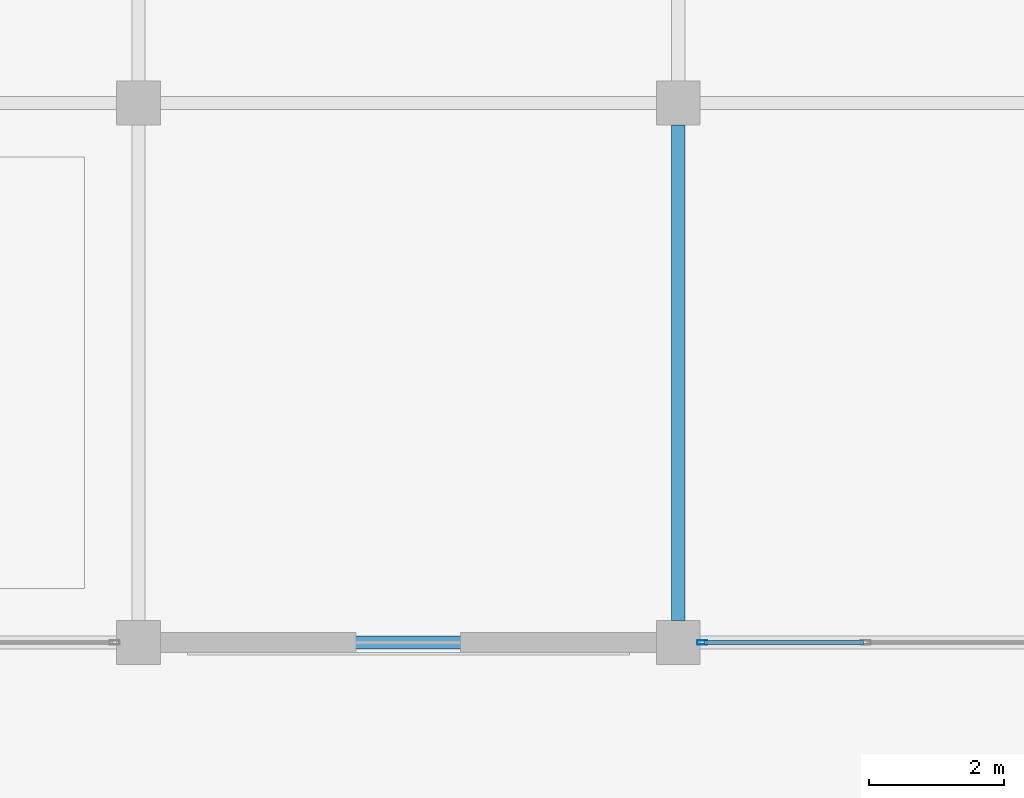
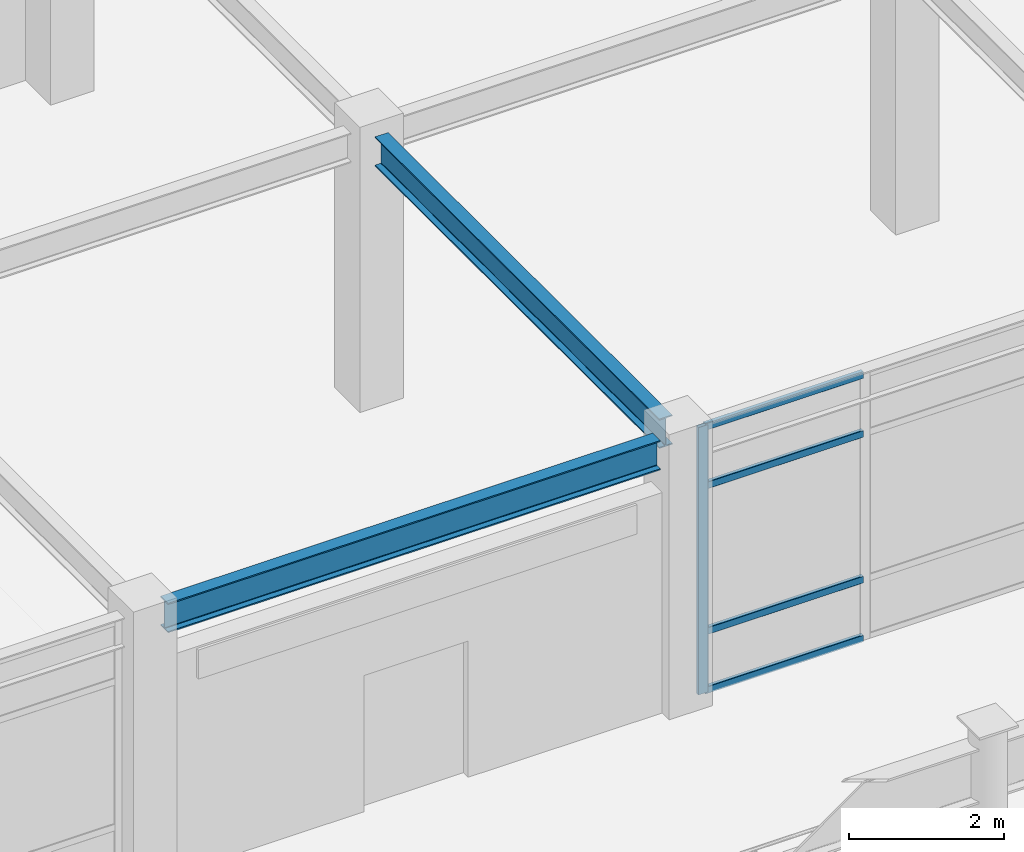
# One storey, part 41 of 78: 5 members, 2 beams, 1 element without a shape of its own.
"""IFC4 building model written with IfcOpenShell, lengths in metres."""

from ifc_helpers import new_model, si_unit, direction, frame, origin, origin_2d, place, context, subcontext, project, spatial, hollow_rectangle, i_section, extrude, material, material_profile, profile_set, type_object, element, aggregate, save


model = new_model("IFC4")

# Units and contexts
model_context = context("Model", 3, precision=1e-05, world=origin(), true_north=direction((0.0, 1.0)))
body_context = subcontext(model_context, "Body", "Model", "MODEL_VIEW")
ifc_project = project(units=[si_unit("LENGTHUNIT", "METRE"), si_unit("AREAUNIT", "SQUARE_METRE"), si_unit("VOLUMEUNIT", "CUBIC_METRE"), si_unit("PLANEANGLEUNIT", "RADIAN"), si_unit("MASSUNIT", "GRAM", prefix="KILO")], contexts=[model_context])

# Site, building, storey
site_placement = place(None, origin())
site = spatial("IfcSite", under=ifc_project, at=site_placement, CompositionType="ELEMENT")
building_placement = place(site_placement, origin())
building = spatial("IfcBuilding", under=site, at=building_placement, Name="Solmirada Galleria", CompositionType="ELEMENT")
storey_placement = place(building_placement, frame((0.0, 0.0, 23.89990234375)))
storey = spatial("IfcBuildingStorey", under=building, at=storey_placement, Name="L05", CompositionType="ELEMENT", Elevation=23.89990234375)

# Beams
ifc_material_1 = material(Name="Steel S355 / ASTM A992 Grade 50", Category="steel")
ifc_material_profile_1 = material_profile(ifc_material_1, i_section(OverallWidth=0.193115234375, OverallDepth=0.466064453125, WebThickness=0.011474609375, FlangeThickness=0.01904296875, FilletRadius=0.013916015625, at=origin_2d()), Name="W18X65")
ifc_profile_set_1 = profile_set([ifc_material_profile_1], Name="Steel S355 / ASTM A992 Grade 50")
beam_type = type_object("IfcBeamType", Name="BM-GIRD-W18C", PredefinedType="BEAM", material=ifc_profile_set_1)
for number, where, z_axis, x_axis, name in (
    (1, (56.324951171875, 96.0, 4.0400390625), (1.0, 0.0, 0.0), (0.0, 1.0, 0.0), "North roof girder X=56..64"),
    (2, (64.0, 96.324951171875, 4.0400390625), (0.0, 1.0, 0.0), (-1.0, 0.0, 0.0), "North roof girder Y=96..104"),
):
    element("IfcBeam", number, at=place(storey_placement, frame(where, z_axis=z_axis, x_axis=x_axis)), inside=storey, type_object=beam_type, Name=name, PredefinedType="BEAM", context=body_context, shape_type="SweptSolid", body=[
        extrude(i_section(OverallWidth=0.193115234375, OverallDepth=0.466064453125, WebThickness=0.011474609375, FlangeThickness=0.01904296875, FilletRadius=0.013916015625, at=origin_2d()), origin(), (0.0, 0.0, 1.0), 7.35009765625),
    ])

# Curtain wall, members
ifc_material_2 = material(Name="Impact-resistant low-E double glazing", Category="glass")
curtain_wall_type = type_object("IfcCurtainWallType", Name="CW-FZ4-L05-B3-L074", PredefinedType="NOTDEFINED", material=ifc_material_2)
curtain_wall_placement = place(storey_placement, origin())
curtain_wall = element("IfcCurtainWall", 3, at=curtain_wall_placement, inside=storey, type_object=curtain_wall_type, Name="Terrace and arcade storefront CW-L05-170", PredefinedType="NOTDEFINED")
ifc_material_3 = material(Name="Anodised aluminium framing", Category="aluminium")
ifc_material_profile_2 = material_profile(ifc_material_3, hollow_rectangle(XDim=0.06005859375, YDim=0.14990234375, WallThickness=0.00341796875, InnerFilletRadius=0.00341796875, OuterFilletRadius=0.007080078125, at=origin_2d()), Name="ALU-MULL-150X60")
ifc_profile_set_2 = profile_set([ifc_material_profile_2], Name="Anodised aluminium framing")
member_type_1 = type_object("IfcMemberType", Name="CW-MULL-150", PredefinedType="MULLION", material=ifc_profile_set_2)
member_1_placement = place(storey_placement, frame((64.35693359375, 96.0, 0.0), z_axis=(0.0, 0.0, 1.0), x_axis=(0.0, -1.0, 0.0)))
member_1 = element("IfcMember", 4, at=member_1_placement, type_object=member_type_1, Name="CW34 mullion 4", PredefinedType="MULLION", context=body_context, shape_type="SweptSolid", body=[
    extrude(hollow_rectangle(XDim=0.06005859375, YDim=0.14990234375, WallThickness=0.00341796875, InnerFilletRadius=0.00341796875, OuterFilletRadius=0.007080078125, at=origin_2d()), origin(), (0.0, 0.0, 1.0), 4.22021484375),
])
ifc_material_profile_3 = material_profile(ifc_material_3, hollow_rectangle(XDim=0.06005859375, YDim=0.110107421875, WallThickness=0.003173828125, InnerFilletRadius=0.003173828125, OuterFilletRadius=0.00634765625, at=origin_2d()), Name="ALU-TRAN-110X60")
ifc_profile_set_3 = profile_set([ifc_material_profile_3], Name="Anodised aluminium framing")
member_type_2 = type_object("IfcMemberType", Name="CW-TRAN-110", PredefinedType="USERDEFINED", material=ifc_profile_set_3)
member_2_placement = place(storey_placement, frame((66.74560546875, 96.0, 0.030029296875), z_axis=(-1.0, 0.0, 0.0), x_axis=(0.0, -1.0, 0.0)))
member_2 = element("IfcMember", 5, at=member_2_placement, type_object=member_type_2, Name="CW34 transom 3.1", ObjectType="TRANSOM", PredefinedType="USERDEFINED", context=body_context, shape_type="SweptSolid", body=[
    extrude(hollow_rectangle(XDim=0.06005859375, YDim=0.110107421875, WallThickness=0.003173828125, InnerFilletRadius=0.003173828125, OuterFilletRadius=0.00634765625, at=origin_2d()), origin(), (0.0, 0.0, 1.0), 2.358642578125),
])
member_3_placement = place(storey_placement, frame((66.74560546875, 96.0, 0.960205078125), z_axis=(-1.0, 0.0, 0.0), x_axis=(0.0, -1.0, 0.0)))
member_3 = element("IfcMember", 6, at=member_3_placement, type_object=member_type_2, Name="CW34 transom 3.2", ObjectType="TRANSOM", PredefinedType="USERDEFINED", context=body_context, shape_type="SweptSolid", body=[
    extrude(hollow_rectangle(XDim=0.06005859375, YDim=0.110107421875, WallThickness=0.003173828125, InnerFilletRadius=0.003173828125, OuterFilletRadius=0.00634765625, at=origin_2d()), origin(), (0.0, 0.0, 1.0), 2.358642578125),
])
member_4_placement = place(storey_placement, frame((66.74560546875, 96.0, 3.260009765625), z_axis=(-1.0, 0.0, 0.0), x_axis=(0.0, -1.0, 0.0)))
member_4 = element("IfcMember", 7, at=member_4_placement, type_object=member_type_2, Name="CW34 transom 3.3", ObjectType="TRANSOM", PredefinedType="USERDEFINED", context=body_context, shape_type="SweptSolid", body=[
    extrude(hollow_rectangle(XDim=0.06005859375, YDim=0.110107421875, WallThickness=0.003173828125, InnerFilletRadius=0.003173828125, OuterFilletRadius=0.00634765625, at=origin_2d()), origin(), (0.0, 0.0, 1.0), 2.358642578125),
])
member_5_placement = place(storey_placement, frame((66.74560546875, 96.0, 4.190185546875), z_axis=(-1.0, 0.0, 0.0), x_axis=(0.0, -1.0, 0.0)))
member_5 = element("IfcMember", 8, at=member_5_placement, type_object=member_type_2, Name="CW34 transom 3.4", ObjectType="TRANSOM", PredefinedType="USERDEFINED", context=body_context, shape_type="SweptSolid", body=[
    extrude(hollow_rectangle(XDim=0.06005859375, YDim=0.110107421875, WallThickness=0.003173828125, InnerFilletRadius=0.003173828125, OuterFilletRadius=0.00634765625, at=origin_2d()), origin(), (0.0, 0.0, 1.0), 2.358642578125),
])
aggregate(curtain_wall, [member_1, member_2, member_3, member_4, member_5])

save(model, "model.ifc")
